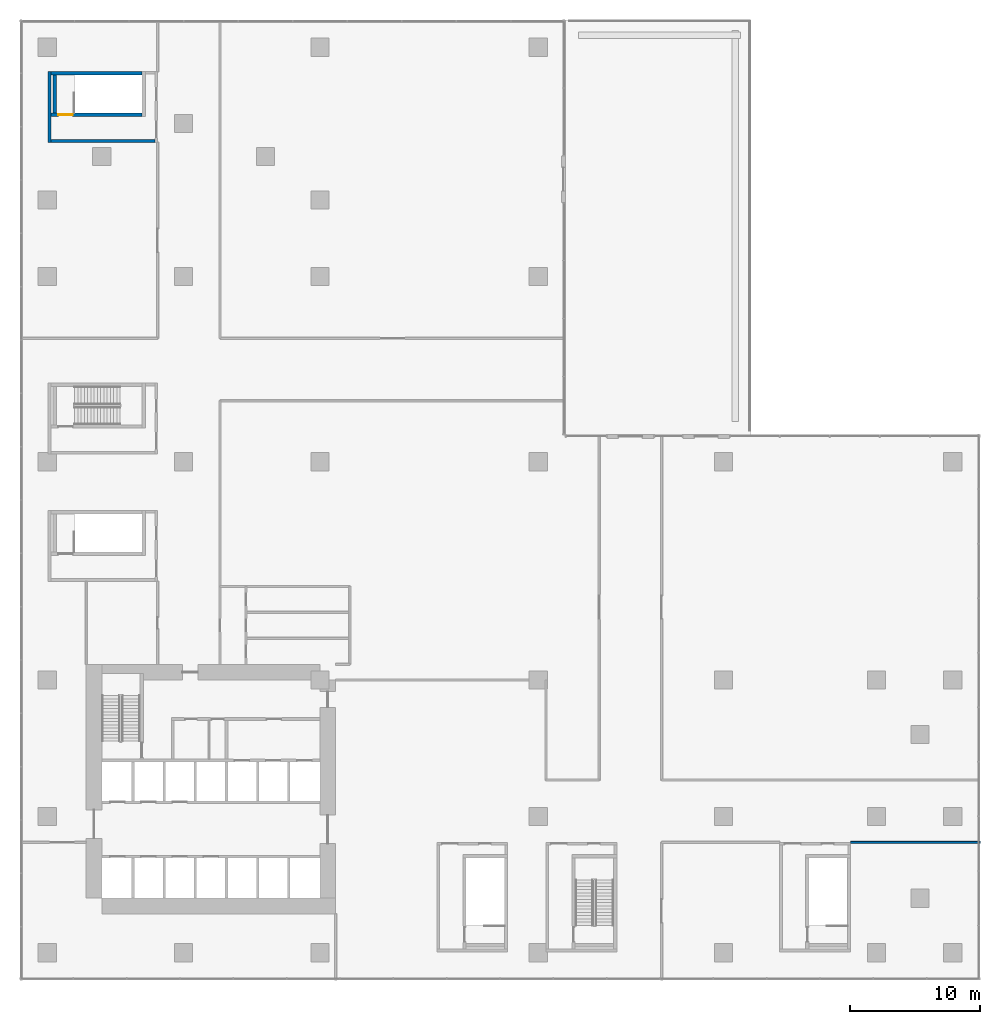
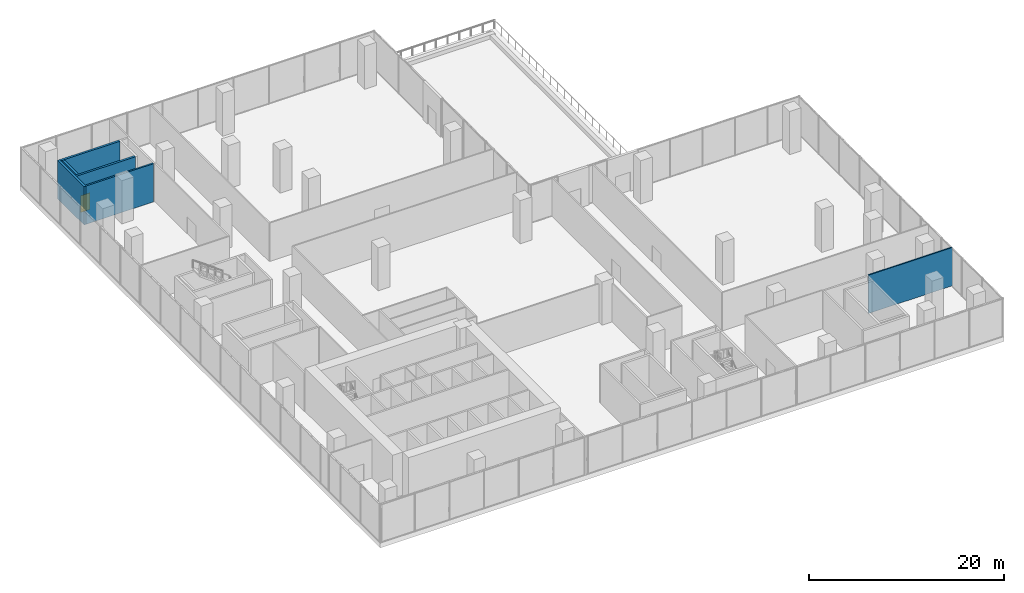
# One storey, part 16 of 21: 6 walls, 1 door, 1 opening.
"""IFC4 building model written with IfcOpenShell, lengths in metres."""

from ifc_helpers import new_model, si_unit, direction, frame, frame_2d, origin, place, context, subcontext, project, spatial, rectangle, extrude, source, transform, mapped, material, layer, layer_set, type_object, element, fill, save


model = new_model("IFC4")

# Units and contexts
model_context = context("Model", 3, precision=1e-05, world=origin(), true_north=direction((0.0, 1.0)))
body_context = subcontext(model_context, "Body", "Model", "MODEL_VIEW")
ifc_project = project(units=[si_unit("LENGTHUNIT", "METRE"), si_unit("AREAUNIT", "SQUARE_METRE"), si_unit("VOLUMEUNIT", "CUBIC_METRE"), si_unit("PLANEANGLEUNIT", "RADIAN"), si_unit("MASSUNIT", "GRAM", prefix="KILO")], contexts=[model_context])

# Site, building, storey
site_placement = place(None, origin())
site = spatial("IfcSite", under=ifc_project, at=site_placement, CompositionType="ELEMENT")
building_placement = place(site_placement, origin())
building = spatial("IfcBuilding", under=site, at=building_placement, Name="Aurelian Terraces", CompositionType="ELEMENT")
storey_placement = place(building_placement, frame((0.0, 0.0, 29.1)))
storey = spatial("IfcBuildingStorey", under=building, at=storey_placement, Name="L05", CompositionType="ELEMENT", Elevation=29.1)

# Wall, opening, door
ifc_material_1 = material(Name="Concrete fc' 40 MPa", Category="concrete")
ifc_layer_1 = layer(ifc_material_1, 0.25)
ifc_layer_set_1 = layer_set([ifc_layer_1], Name="Stair enclosure wall 250")
wall_type_1 = type_object("IfcWallType", Name="Stair enclosure wall 250", PredefinedType="SOLIDWALL", material=ifc_layer_set_1)
shared_shape_1 = source(origin(), body_context, "Body", "SweptSolid", [
    extrude(rectangle(XDim=7.0, YDim=0.25, at=frame_2d((3.5, 0.0))), origin(), (0.0, 0.0, 1.0), 4.8),
])
wall_1_placement = place(storey_placement, frame((0.3, 64.525, 0.0), z_axis=(0.0, 0.0, 1.0), x_axis=(1.0, 0.0, 0.0)))
wall_1 = element("IfcWall", 1, at=wall_1_placement, inside=storey, type_object=wall_type_1, Name="L05 core wall ST-S5-W", PredefinedType="SOLIDWALL", context=body_context, shape_type="MappedRepresentation", body=[
    mapped(shared_shape_1, transform((0.0, 0.0, 0.0), scale=1.0)),
])
shared_shape_2 = source(origin(), body_context, "Body", "SweptSolid", [
    extrude(rectangle(XDim=1.1, YDim=2.1, at=frame_2d((0.55, 1.05))), frame((0.0, 0.135, 0.0), z_axis=(0.0, -1.0, 0.0), x_axis=(1.0, 0.0, 0.0)), (0.0, 0.0, 1.0), 0.27),
])
opening_placement = place(wall_1_placement, frame((0.55, 0.0, 0.0)))
opening = element("IfcOpeningElement", 2, at=opening_placement, cuts=wall_1, Name="Opening 60823", PredefinedType="OPENING", context=body_context, shape_type="MappedRepresentation", body=[
    mapped(shared_shape_2, transform((0.0, 0.0, 0.0), scale=1.0)),
])
ifc_material_2 = material(Name="Steel door leaf", Category="steel")
door_type = type_object("IfcDoorType", Name="Core fire door 1100x2100 right", OperationType="SINGLE_SWING_RIGHT", PredefinedType="DOOR", material=ifc_material_2)
shared_shape_3 = source(origin(), body_context, "Body", "SweptSolid", [
    extrude(rectangle(XDim=1.1, YDim=2.1, at=frame_2d((0.55, 1.05))), frame((0.0, 0.025, 0.0), z_axis=(0.0, -1.0, 0.0), x_axis=(1.0, 0.0, 0.0)), (0.0, 0.0, 1.0), 0.05),
])
door_placement = place(opening_placement, origin())
door = element("IfcDoor", 3, at=door_placement, inside=storey, type_object=door_type, Name="Stair door 60823", OperationType="SINGLE_SWING_RIGHT", OverallHeight=2.1, OverallWidth=1.1, PredefinedType="DOOR", context=body_context, shape_type="MappedRepresentation", body=[
    mapped(shared_shape_3, transform((0.0, 0.0, 0.0), scale=1.0)),
])
fill(opening, door)

# Walls
wall_2_placement = place(storey_placement, frame((0.3, 67.725, 0.0), z_axis=(0.0, 0.0, 1.0), x_axis=(1.0, 0.0, 0.0)))
element("IfcWall", 4, at=wall_2_placement, inside=storey, type_object=wall_type_1, Name="L05 core wall ST-S5-E", PredefinedType="SOLIDWALL", context=body_context, shape_type="MappedRepresentation", body=[
    mapped(shared_shape_1, transform((0.0, 0.0, 0.0), scale=1.0)),
])
shared_shape_4 = source(origin(), body_context, "Body", "SweptSolid", [
    extrude(rectangle(XDim=2.95, YDim=0.25, at=frame_2d((1.475, 0.0))), origin(), (0.0, 0.0, 1.0), 4.8),
])
wall_3_placement = place(storey_placement, frame((0.575, 64.65, 0.0), z_axis=(0.0, 0.0, 1.0), x_axis=(0.0, 1.0, 0.0)))
element("IfcWall", 5, at=wall_3_placement, inside=storey, type_object=wall_type_1, Name="L05 core wall ST-S5-SS", PredefinedType="SOLIDWALL", context=body_context, shape_type="MappedRepresentation", body=[
    mapped(shared_shape_4, transform((0.0, 0.0, 0.0), scale=1.0)),
])
ifc_material_3 = material(Name="Gypsum board on steel studs", Category="steel")
ifc_layer_2 = layer(ifc_material_3, 0.2)
ifc_layer_set_2 = layer_set([ifc_layer_2], Name="Core partition 200")
wall_type_2 = type_object("IfcWallType", Name="Core partition 200", PredefinedType="PARTITIONING", material=ifc_layer_set_2)
shared_shape_5 = source(origin(), body_context, "Body", "SweptSolid", [
    extrude(rectangle(XDim=8.0, YDim=0.2, at=frame_2d((4.0, 0.0))), origin(), (0.0, 0.0, 1.0), 4.8),
])
wall_4_placement = place(storey_placement, frame((0.3, 62.5, 0.0), z_axis=(0.0, 0.0, 1.0), x_axis=(1.0, 0.0, 0.0)))
element("IfcWall", 6, at=wall_4_placement, inside=storey, type_object=wall_type_2, Name="L05 core wall ST-S5-VW", PredefinedType="PARTITIONING", context=body_context, shape_type="MappedRepresentation", body=[
    mapped(shared_shape_5, transform((0.0, 0.0, 0.0), scale=1.0)),
])
shared_shape_6 = source(origin(), body_context, "Body", "SweptSolid", [
    extrude(rectangle(XDim=5.45, YDim=0.25, at=frame_2d((2.725, 0.0))), origin(), (0.0, 0.0, 1.0), 4.8),
])
wall_5_placement = place(storey_placement, frame((0.175, 62.4, 0.0), z_axis=(0.0, 0.0, 1.0), x_axis=(0.0, 1.0, 0.0)))
element("IfcWall", 7, at=wall_5_placement, inside=storey, type_object=wall_type_1, Name="L05 core wall ST-S5-S", PredefinedType="SOLIDWALL", context=body_context, shape_type="MappedRepresentation", body=[
    mapped(shared_shape_6, transform((0.0, 0.0, 0.0), scale=1.0)),
])
ifc_layer_3 = layer(ifc_material_3, 0.15)
ifc_layer_set_3 = layer_set([ifc_layer_3], Name="Special partition 150")
wall_type_3 = type_object("IfcWallType", Name="Special partition 150", PredefinedType="PARTITIONING", material=ifc_layer_set_3)
shared_shape_7 = source(origin(), body_context, "Body", "SweptSolid", [
    extrude(rectangle(XDim=9.97, YDim=0.15, at=frame_2d((4.985, 0.0))), origin(), (0.0, 0.0, 1.0), 4.8),
])
wall_6_placement = place(storey_placement, frame((61.85, 8.5, 0.0), z_axis=(0.0, 0.0, 1.0), x_axis=(1.0, 0.0, 0.0)))
element("IfcWall", 8, at=wall_6_placement, inside=storey, type_object=wall_type_3, Name="L05 partition W03", PredefinedType="PARTITIONING", context=body_context, shape_type="MappedRepresentation", body=[
    mapped(shared_shape_7, transform((0.0, 0.0, 0.0), scale=1.0)),
])

save(model, "model.ifc")
